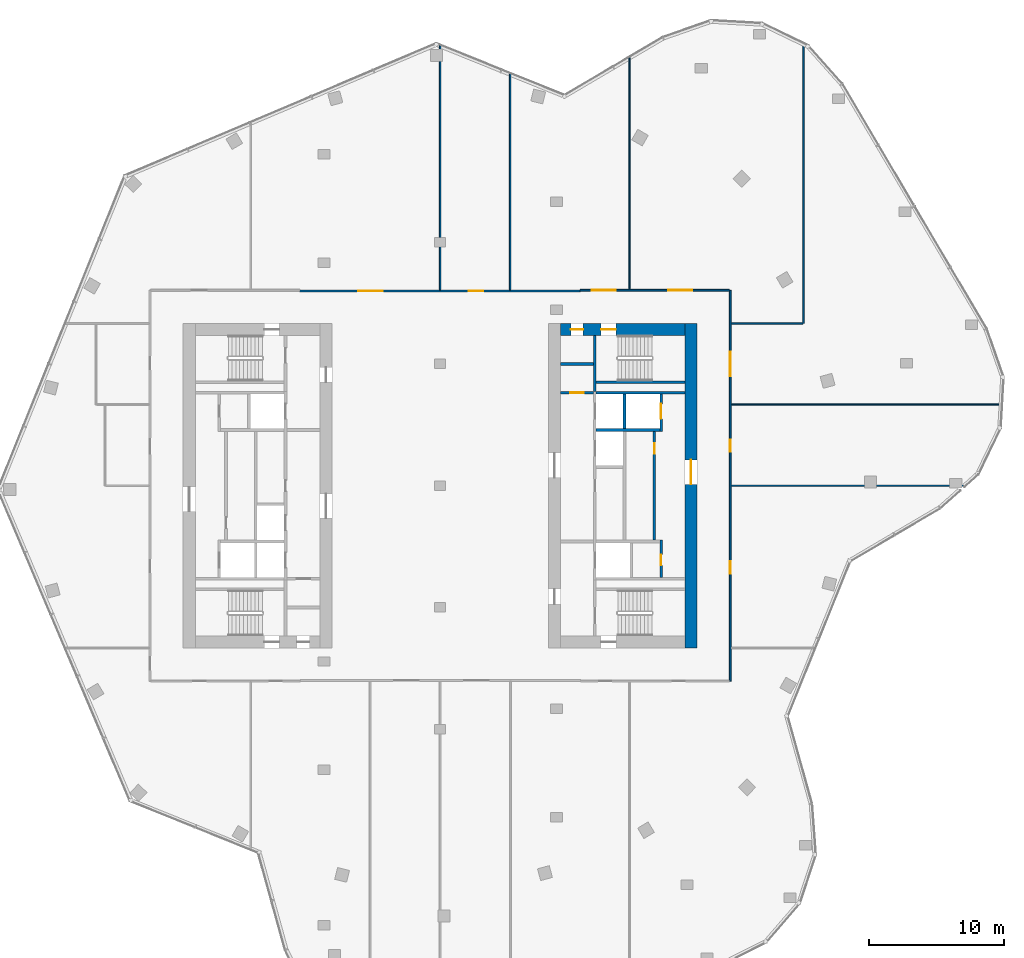
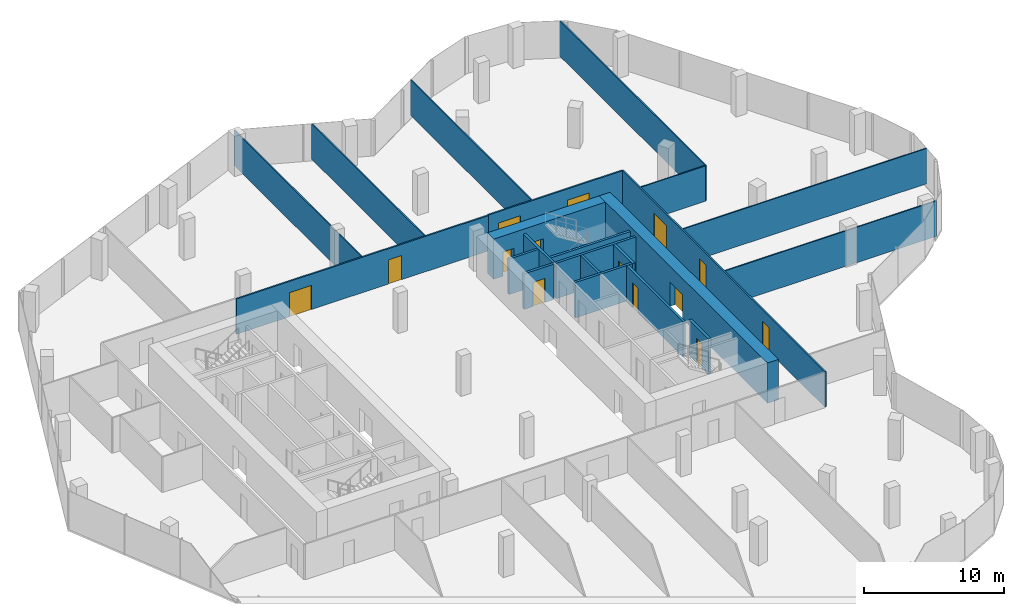
# One storey, part 14 of 16: 22 walls, 14 doors, 14 openings.
"""IFC4 building model written with IfcOpenShell, lengths in metres."""

from ifc_helpers import new_model, si_unit, direction, frame, frame_2d, origin, place, context, subcontext, project, spatial, rectangle, extrude, material, layer, layer_set, type_object, element, fill, save


model = new_model("IFC4")

# Units and contexts
model_context = context("Model", 3, precision=1e-05, world=origin(), true_north=direction((0.0, 1.0)))
body_context = subcontext(model_context, "Body", "Model", "MODEL_VIEW")
ifc_project = project(units=[si_unit("LENGTHUNIT", "METRE"), si_unit("AREAUNIT", "SQUARE_METRE"), si_unit("VOLUMEUNIT", "CUBIC_METRE"), si_unit("PLANEANGLEUNIT", "RADIAN"), si_unit("MASSUNIT", "GRAM", prefix="KILO")], contexts=[model_context])

# Site, building, storey
site_placement = place(None, origin())
site = spatial("IfcSite", under=ifc_project, at=site_placement, CompositionType="ELEMENT")
building_placement = place(site_placement, origin())
building = spatial("IfcBuilding", under=site, at=building_placement, Name="Orlundy Tower", CompositionType="ELEMENT")
storey_placement = place(building_placement, frame((0.0, 0.0, 282.39990234375)))
storey = spatial("IfcBuildingStorey", under=building, at=storey_placement, Name="L75", CompositionType="ELEMENT", Elevation=282.39990234375)

# Wall, openings, doors
ifc_material_1 = material(Name="Concrete C50/60", Category="concrete")
ifc_layer_1 = layer(ifc_material_1, 0.89990234375)
ifc_layer_set_1 = layer_set([ifc_layer_1], Name="CORE WALL 900 C50/60")
wall_type_1 = type_object("IfcWallType", Name="CORE WALL 900 C50/60", PredefinedType="SHEAR", material=ifc_layer_set_1)
wall_1_placement = place(storey_placement, frame((8.89990234375, 11.550048828125, 0.0), z_axis=(0.0, 0.0, 1.0), x_axis=(1.0, 0.0, 0.0)))
wall_1 = element("IfcWall", 1, at=wall_1_placement, inside=storey, type_object=wall_type_1, Name="Core wall E-N L75", PredefinedType="SHEAR", context=body_context, shape_type="SweptSolid", body=[
    extrude(rectangle(XDim=9.2001953125, YDim=0.89990234375, at=frame_2d((4.60009765625, 0.0))), origin(), (0.0, 0.0, 1.0), 3.5),
])
opening_1_placement = place(wall_1_placement, frame((3.0, 0.0, 0.0)))
opening_1 = element("IfcOpeningElement", 2, at=opening_1_placement, cuts=wall_1, Name="Opening 57061", PredefinedType="OPENING", context=body_context, shape_type="SweptSolid", body=[
    extrude(rectangle(XDim=1.10009765625, YDim=2.10009765625, at=frame_2d((0.550048828125, 1.050048828125))), frame((0.0, 0.4599609375, 0.0), z_axis=(0.0, -1.0, 0.0), x_axis=(1.0, 0.0, 0.0)), (0.0, 0.0, 1.0), 0.919921875),
])
opening_2_placement = place(wall_1_placement, frame((0.77001953125, 0.0, 0.0)))
opening_2 = element("IfcOpeningElement", 3, at=opening_2_placement, cuts=wall_1, Name="Opening 57063", PredefinedType="OPENING", context=body_context, shape_type="SweptSolid", body=[
    extrude(rectangle(XDim=0.89990234375, YDim=2.10009765625, at=frame_2d((0.449951171875, 1.050048828125))), frame((0.0, 0.4599609375, 0.0), z_axis=(0.0, -1.0, 0.0), x_axis=(1.0, 0.0, 0.0)), (0.0, 0.0, 1.0), 0.919921875),
])
ifc_material_2 = material(Name="Timber door set", Category="wood")
door_type_1 = type_object("IfcDoorType", Name="Room Door 900x2100", OperationType="SINGLE_SWING_LEFT", PredefinedType="DOOR", material=ifc_material_2)
door_1_placement = place(opening_2_placement, origin())
door_1 = element("IfcDoor", 4, at=door_1_placement, inside=storey, type_object=door_type_1, Name="Store door 57063", OperationType="SINGLE_SWING_LEFT", OverallHeight=2.10009765625, OverallWidth=0.89990234375, PredefinedType="DOOR", context=body_context, shape_type="SweptSolid", body=[
    extrude(rectangle(XDim=0.89990234375, YDim=2.10009765625, at=frame_2d((0.449951171875, 1.050048828125))), frame((0.0, 0.02490234375, 0.0), z_axis=(0.0, -1.0, 0.0), x_axis=(1.0, 0.0, 0.0)), (0.0, 0.0, 1.0), 0.050048828125),
])
fill(opening_2, door_1)
ifc_material_3 = material(Name="Steel door set", Category="steel")
door_type_2 = type_object("IfcDoorType", Name="Stair Door 1100x2100", OperationType="SINGLE_SWING_LEFT", PredefinedType="DOOR", material=ifc_material_3)
door_2_placement = place(opening_1_placement, origin())
door_2 = element("IfcDoor", 5, at=door_2_placement, inside=storey, type_object=door_type_2, Name="Stair door 57061", OperationType="SINGLE_SWING_LEFT", OverallHeight=2.10009765625, OverallWidth=1.10009765625, PredefinedType="DOOR", context=body_context, shape_type="SweptSolid", body=[
    extrude(rectangle(XDim=1.10009765625, YDim=2.10009765625, at=frame_2d((0.550048828125, 1.050048828125))), frame((0.0, 0.02490234375, 0.0), z_axis=(0.0, -1.0, 0.0), x_axis=(1.0, 0.0, 0.0)), (0.0, 0.0, 1.0), 0.050048828125),
])
fill(opening_1, door_2)

# Wall, opening, door
wall_2_placement = place(storey_placement, frame((18.550048828125, -12.0, 0.0), z_axis=(0.0, 0.0, 1.0), x_axis=(0.0, 1.0, 0.0)))
wall_2 = element("IfcWall", 6, at=wall_2_placement, inside=storey, type_object=wall_type_1, Name="Core wall E-E L75", PredefinedType="SHEAR", context=body_context, shape_type="SweptSolid", body=[
    extrude(rectangle(XDim=24.0, YDim=0.89990234375, at=frame_2d((12.0, 0.0))), origin(), (0.0, 0.0, 1.0), 3.5),
])
opening_3_placement = place(wall_2_placement, frame((12.10009765625, 0.0, 0.0)))
opening_3 = element("IfcOpeningElement", 7, at=opening_3_placement, cuts=wall_2, Name="Opening 57058", PredefinedType="OPENING", context=body_context, shape_type="SweptSolid", body=[
    extrude(rectangle(XDim=1.800048828125, YDim=2.10009765625, at=frame_2d((0.89990234375, 1.050048828125))), frame((0.0, 0.4599609375, 0.0), z_axis=(0.0, -1.0, 0.0), x_axis=(1.0, 0.0, 0.0)), (0.0, 0.0, 1.0), 0.919921875),
])
ifc_material_4 = material(Name="Timber door set", Category="wood")
door_type_3 = type_object("IfcDoorType", Name="Lobby Door 1800x2100", OperationType="DOUBLE_DOOR_DOUBLE_SWING", PredefinedType="DOOR", material=ifc_material_4)
door_3_placement = place(opening_3_placement, origin())
door_3 = element("IfcDoor", 8, at=door_3_placement, inside=storey, type_object=door_type_3, Name="Lift lobby door 57058", OperationType="SINGLE_SWING_RIGHT", OverallHeight=2.10009765625, OverallWidth=1.800048828125, PredefinedType="DOOR", context=body_context, shape_type="SweptSolid", body=[
    extrude(rectangle(XDim=1.800048828125, YDim=2.10009765625, at=frame_2d((0.89990234375, 1.050048828125))), frame((0.0, 0.02490234375, 0.0), z_axis=(0.0, -1.0, 0.0), x_axis=(1.0, 0.0, 0.0)), (0.0, 0.0, 1.0), 0.050048828125),
])
fill(opening_3, door_3)

# Walls
ifc_material_5 = material(Name="Gypsum board partition")
ifc_layer_2 = layer(ifc_material_5, 0.10009765625)
ifc_layer_set_2 = layer_set([ifc_layer_2], Name="Floor partition 100")
wall_type_2 = type_object("IfcWallType", Name="Floor partition 100", PredefinedType="PARTITIONING", material=ifc_layer_set_2)
wall_3_placement = place(storey_placement, frame((21.511962890625, 0.0, 0.0), z_axis=(0.0, 0.0, 1.0), x_axis=(1.0, 0.0, 0.0)))
element("IfcWall", 9, at=wall_3_placement, inside=storey, type_object=wall_type_2, Name="wall-int-L75-007", PredefinedType="PARTITIONING", context=body_context, shape_type="SweptSolid", body=[
    extrude(rectangle(XDim=17.404052734375, YDim=0.10009765625, at=frame_2d((8.7021484375, 0.0))), origin(), (0.0, 0.0, 1.0), 3.080078125),
])
wall_4_placement = place(storey_placement, frame((21.511962890625, 6.0, 0.0), z_axis=(0.0, 0.0, 1.0), x_axis=(1.0, 0.0, 0.0)))
element("IfcWall", 10, at=wall_4_placement, inside=storey, type_object=wall_type_2, Name="wall-int-L75-009", PredefinedType="PARTITIONING", context=body_context, shape_type="SweptSolid", body=[
    extrude(rectangle(XDim=20.071044921875, YDim=0.10009765625, at=frame_2d((10.03564453125, 0.0))), origin(), (0.0, 0.0, 1.0), 3.080078125),
])
wall_5_placement = place(storey_placement, frame((21.511962890625, 12.0, 0.0), z_axis=(0.0, 0.0, 1.0), x_axis=(1.0, 0.0, 0.0)))
element("IfcWall", 11, at=wall_5_placement, inside=storey, type_object=wall_type_2, Name="wall-int-L75-011", PredefinedType="PARTITIONING", context=body_context, shape_type="SweptSolid", body=[
    extrude(rectangle(XDim=5.319091796875, YDim=0.10009765625, at=frame_2d((2.65966796875, 0.0))), origin(), (0.0, 0.0, 1.0), 3.080078125),
])
wall_6_placement = place(storey_placement, frame((26.881103515625, 12.0, 0.0), z_axis=(0.0, 0.0, 1.0), x_axis=(0.0, 1.0, 0.0)))
element("IfcWall", 12, at=wall_6_placement, inside=storey, type_object=wall_type_2, Name="wall-int-L75-015", PredefinedType="PARTITIONING", context=body_context, shape_type="SweptSolid", body=[
    extrude(rectangle(XDim=20.7509765625, YDim=0.10009765625, at=frame_2d((10.37548828125, 0.0))), origin(), (0.0, 0.0, 1.0), 3.080078125),
])
wall_7_placement = place(storey_placement, frame((14.0, 14.513916015625, 0.0), z_axis=(0.0, 0.0, 1.0), x_axis=(0.0, 1.0, 0.0)))
element("IfcWall", 13, at=wall_7_placement, inside=storey, type_object=wall_type_2, Name="wall-int-L75-018", PredefinedType="PARTITIONING", context=body_context, shape_type="SweptSolid", body=[
    extrude(rectangle(XDim=17.235107421875, YDim=0.10009765625, at=frame_2d((8.61767578125, 0.0))), origin(), (0.0, 0.0, 1.0), 3.080078125),
])
wall_8_placement = place(storey_placement, frame((5.175048828125, 14.462890625, 0.0), z_axis=(0.0, 0.0, 1.0), x_axis=(0.0, 1.0, 0.0)))
element("IfcWall", 14, at=wall_8_placement, inside=storey, type_object=wall_type_2, Name="wall-int-L75-020", PredefinedType="PARTITIONING", context=body_context, shape_type="SweptSolid", body=[
    extrude(rectangle(XDim=16.072021484375, YDim=0.10009765625, at=frame_2d((8.0361328125, 0.0))), origin(), (0.0, 0.0, 1.0), 3.080078125),
])
wall_9_placement = place(storey_placement, frame((0.0, 14.462890625, 0.0), z_axis=(0.0, 0.0, 1.0), x_axis=(0.0, 1.0, 0.0)))
element("IfcWall", 15, at=wall_9_placement, inside=storey, type_object=wall_type_2, Name="wall-int-L75-022", PredefinedType="PARTITIONING", context=body_context, shape_type="SweptSolid", body=[
    extrude(rectangle(XDim=18.1640625, YDim=0.10009765625, at=frame_2d((9.08203125, 0.0))), origin(), (0.0, 0.0, 1.0), 3.080078125),
])

# Wall, openings, doors
ifc_material_6 = material(Name="Gypsum board partition, double layer")
ifc_layer_3 = layer(ifc_material_6, 0.125)
ifc_layer_set_3 = layer_set([ifc_layer_3], Name="Floor partition 125")
wall_type_3 = type_object("IfcWallType", Name="Floor partition 125", PredefinedType="PARTITIONING", material=ifc_layer_set_3)
wall_10_placement = place(storey_placement, frame((-10.389892578125, 14.40087890625, 0.0), z_axis=(0.0, 0.0, 1.0), x_axis=(1.0, 0.0, 0.0)))
wall_10 = element("IfcWall", 16, at=wall_10_placement, inside=storey, type_object=wall_type_3, Name="wall-int-L75-012", PredefinedType="PARTITIONING", context=body_context, shape_type="SweptSolid", body=[
    extrude(rectangle(XDim=20.739013671875, YDim=0.125, at=frame_2d((10.36962890625, 0.0))), origin(), (0.0, 0.0, 1.0), 3.080078125),
])
opening_4_placement = place(wall_10_placement, frame((12.489990234375, 0.0, 0.0)))
opening_4 = element("IfcOpeningElement", 17, at=opening_4_placement, cuts=wall_10, Name="Opening 57113", PredefinedType="OPENING", context=body_context, shape_type="SweptSolid", body=[
    extrude(rectangle(XDim=1.10009765625, YDim=2.10009765625, at=frame_2d((0.550048828125, 1.050048828125))), frame((0.0, 0.072509765625, 0.0), z_axis=(0.0, -1.0, 0.0), x_axis=(1.0, 0.0, 0.0)), (0.0, 0.0, 1.0), 0.14501953125),
])
opening_5_placement = place(wall_10_placement, frame((4.35009765625, 0.0, 0.0)))
opening_5 = element("IfcOpeningElement", 18, at=opening_5_placement, cuts=wall_10, Name="Opening 57114", PredefinedType="OPENING", context=body_context, shape_type="SweptSolid", body=[
    extrude(rectangle(XDim=1.800048828125, YDim=2.10009765625, at=frame_2d((0.89990234375, 1.050048828125))), frame((0.0, 0.072509765625, 0.0), z_axis=(0.0, -1.0, 0.0), x_axis=(1.0, 0.0, 0.0)), (0.0, 0.0, 1.0), 0.14501953125),
])
ifc_material_7 = material(Name="Timber door leaf", Category="wood")
door_type_4 = type_object("IfcDoorType", Name="Floor door double 1800 FD30S", OperationType="NOTDEFINED", PredefinedType="DOOR", material=ifc_material_7)
door_4_placement = place(opening_5_placement, origin())
door_4 = element("IfcDoor", 19, at=door_4_placement, inside=storey, type_object=door_type_4, Name="Door 57114", OperationType="DOUBLE_DOOR_SINGLE_SWING", OverallHeight=2.10009765625, OverallWidth=1.800048828125, PredefinedType="DOOR", context=body_context, shape_type="SweptSolid", body=[
    extrude(rectangle(XDim=1.800048828125, YDim=2.10009765625, at=frame_2d((0.89990234375, 1.050048828125))), frame((0.0, 0.02490234375, 0.0), z_axis=(0.0, -1.0, 0.0), x_axis=(1.0, 0.0, 0.0)), (0.0, 0.0, 1.0), 0.050048828125),
])
fill(opening_5, door_4)
ifc_material_8 = material(Name="Timber door leaf", Category="wood")
door_type_5 = type_object("IfcDoorType", Name="Floor door xwide 1100 FD30S", OperationType="NOTDEFINED", PredefinedType="DOOR", material=ifc_material_8)
door_5_placement = place(opening_4_placement, origin())
door_5 = element("IfcDoor", 20, at=door_5_placement, inside=storey, type_object=door_type_5, Name="Door 57113", OperationType="SINGLE_SWING_RIGHT", OverallHeight=2.10009765625, OverallWidth=1.10009765625, PredefinedType="DOOR", context=body_context, shape_type="SweptSolid", body=[
    extrude(rectangle(XDim=1.10009765625, YDim=2.10009765625, at=frame_2d((0.550048828125, 1.050048828125))), frame((0.0, 0.02490234375, 0.0), z_axis=(0.0, -1.0, 0.0), x_axis=(1.0, 0.0, 0.0)), (0.0, 0.0, 1.0), 0.050048828125),
])
fill(opening_4, door_5)

wall_11_placement = place(storey_placement, frame((10.35009765625, 14.450927734375, 0.0), z_axis=(0.0, 0.0, 1.0), x_axis=(1.0, 0.0, 0.0)))
wall_11 = element("IfcWall", 21, at=wall_11_placement, inside=storey, type_object=wall_type_3, Name="wall-int-L75-014", PredefinedType="PARTITIONING", context=body_context, shape_type="SweptSolid", body=[
    extrude(rectangle(XDim=11.036865234375, YDim=0.125, at=frame_2d((5.5185546875, 0.0))), origin(), (0.0, 0.0, 1.0), 3.080078125),
])
opening_6_placement = place(wall_11_placement, frame((6.5, 0.0, 0.0)))
opening_6 = element("IfcOpeningElement", 22, at=opening_6_placement, cuts=wall_11, Name="Opening 57111", PredefinedType="OPENING", context=body_context, shape_type="SweptSolid", body=[
    extrude(rectangle(XDim=1.800048828125, YDim=2.10009765625, at=frame_2d((0.89990234375, 1.050048828125))), frame((0.0, 0.072509765625, 0.0), z_axis=(0.0, -1.0, 0.0), x_axis=(1.0, 0.0, 0.0)), (0.0, 0.0, 1.0), 0.14501953125),
])
opening_7_placement = place(wall_11_placement, frame((0.85009765625, 0.0, 0.0)))
opening_7 = element("IfcOpeningElement", 23, at=opening_7_placement, cuts=wall_11, Name="Opening 57112", PredefinedType="OPENING", context=body_context, shape_type="SweptSolid", body=[
    extrude(rectangle(XDim=1.800048828125, YDim=2.10009765625, at=frame_2d((0.89990234375, 1.050048828125))), frame((0.0, 0.072509765625, 0.0), z_axis=(0.0, -1.0, 0.0), x_axis=(1.0, 0.0, 0.0)), (0.0, 0.0, 1.0), 0.14501953125),
])
door_6_placement = place(opening_6_placement, origin())
door_6 = element("IfcDoor", 24, at=door_6_placement, inside=storey, type_object=door_type_4, Name="Door 57111", OperationType="DOUBLE_DOOR_SINGLE_SWING", OverallHeight=2.10009765625, OverallWidth=1.800048828125, PredefinedType="DOOR", context=body_context, shape_type="SweptSolid", body=[
    extrude(rectangle(XDim=1.800048828125, YDim=2.10009765625, at=frame_2d((0.89990234375, 1.050048828125))), frame((0.0, 0.02490234375, 0.0), z_axis=(0.0, -1.0, 0.0), x_axis=(1.0, 0.0, 0.0)), (0.0, 0.0, 1.0), 0.050048828125),
])
fill(opening_6, door_6)
door_7_placement = place(opening_7_placement, origin())
door_7 = element("IfcDoor", 25, at=door_7_placement, inside=storey, type_object=door_type_4, Name="Door 57112", OperationType="DOUBLE_DOOR_SINGLE_SWING", OverallHeight=2.10009765625, OverallWidth=1.800048828125, PredefinedType="DOOR", context=body_context, shape_type="SweptSolid", body=[
    extrude(rectangle(XDim=1.800048828125, YDim=2.10009765625, at=frame_2d((0.89990234375, 1.050048828125))), frame((0.0, 0.02490234375, 0.0), z_axis=(0.0, -1.0, 0.0), x_axis=(1.0, 0.0, 0.0)), (0.0, 0.0, 1.0), 0.050048828125),
])
fill(opening_7, door_7)

wall_12_placement = place(storey_placement, frame((21.449951171875, 14.450927734375, 0.0), z_axis=(0.0, 0.0, 1.0), x_axis=(0.0, -1.0, 0.0)))
wall_12 = element("IfcWall", 26, at=wall_12_placement, inside=storey, type_object=wall_type_3, Name="wall-int-L75-016", PredefinedType="PARTITIONING", context=body_context, shape_type="SweptSolid", body=[
    extrude(rectangle(XDim=28.90185546875, YDim=0.125, at=frame_2d((14.450927734375, 0.0))), origin(), (0.0, 0.0, 1.0), 3.080078125),
])
opening_8_placement = place(wall_12_placement, frame((20.051025390625, 0.0, 0.0)))
opening_8 = element("IfcOpeningElement", 27, at=opening_8_placement, cuts=wall_12, Name="Opening 57108", PredefinedType="OPENING", context=body_context, shape_type="SweptSolid", body=[
    extrude(rectangle(XDim=0.89990234375, YDim=2.10009765625, at=frame_2d((0.449951171875, 1.050048828125))), frame((0.0, 0.072509765625, 0.0), z_axis=(0.0, -1.0, 0.0), x_axis=(1.0, 0.0, 0.0)), (0.0, 0.0, 1.0), 0.14501953125),
])
opening_9_placement = place(wall_12_placement, frame((11.051025390625, 0.0, 0.0)))
opening_9 = element("IfcOpeningElement", 28, at=opening_9_placement, cuts=wall_12, Name="Opening 57109", PredefinedType="OPENING", context=body_context, shape_type="SweptSolid", body=[
    extrude(rectangle(XDim=0.89990234375, YDim=2.10009765625, at=frame_2d((0.449951171875, 1.050048828125))), frame((0.0, 0.072509765625, 0.0), z_axis=(0.0, -1.0, 0.0), x_axis=(1.0, 0.0, 0.0)), (0.0, 0.0, 1.0), 0.14501953125),
])
opening_10_placement = place(wall_12_placement, frame((4.551025390625, 0.0, 0.0)))
opening_10 = element("IfcOpeningElement", 29, at=opening_10_placement, cuts=wall_12, Name="Opening 57110", PredefinedType="OPENING", context=body_context, shape_type="SweptSolid", body=[
    extrude(rectangle(XDim=1.800048828125, YDim=2.10009765625, at=frame_2d((0.89990234375, 1.050048828125))), frame((0.0, 0.072509765625, 0.0), z_axis=(0.0, -1.0, 0.0), x_axis=(1.0, 0.0, 0.0)), (0.0, 0.0, 1.0), 0.14501953125),
])
door_8_placement = place(opening_10_placement, origin())
door_8 = element("IfcDoor", 30, at=door_8_placement, inside=storey, type_object=door_type_4, Name="Door 57110", OperationType="DOUBLE_DOOR_SINGLE_SWING", OverallHeight=2.10009765625, OverallWidth=1.800048828125, PredefinedType="DOOR", context=body_context, shape_type="SweptSolid", body=[
    extrude(rectangle(XDim=1.800048828125, YDim=2.10009765625, at=frame_2d((0.89990234375, 1.050048828125))), frame((0.0, 0.02490234375, 0.0), z_axis=(0.0, -1.0, 0.0), x_axis=(1.0, 0.0, 0.0)), (0.0, 0.0, 1.0), 0.050048828125),
])
fill(opening_10, door_8)
ifc_material_9 = material(Name="Timber door leaf", Category="wood")
door_type_6 = type_object("IfcDoorType", Name="Floor door single 900 FD30S", OperationType="NOTDEFINED", PredefinedType="DOOR", material=ifc_material_9)
door_9_placement = place(opening_8_placement, origin())
door_9 = element("IfcDoor", 31, at=door_9_placement, inside=storey, type_object=door_type_6, Name="Door 57108", OperationType="SINGLE_SWING_RIGHT", OverallHeight=2.10009765625, OverallWidth=0.89990234375, PredefinedType="DOOR", context=body_context, shape_type="SweptSolid", body=[
    extrude(rectangle(XDim=0.89990234375, YDim=2.10009765625, at=frame_2d((0.449951171875, 1.050048828125))), frame((0.0, 0.02490234375, 0.0), z_axis=(0.0, -1.0, 0.0), x_axis=(1.0, 0.0, 0.0)), (0.0, 0.0, 1.0), 0.050048828125),
])
fill(opening_8, door_9)
door_10_placement = place(opening_9_placement, origin())
door_10 = element("IfcDoor", 32, at=door_10_placement, inside=storey, type_object=door_type_6, Name="Door 57109", OperationType="SINGLE_SWING_LEFT", OverallHeight=2.10009765625, OverallWidth=0.89990234375, PredefinedType="DOOR", context=body_context, shape_type="SweptSolid", body=[
    extrude(rectangle(XDim=0.89990234375, YDim=2.10009765625, at=frame_2d((0.449951171875, 1.050048828125))), frame((0.0, 0.02490234375, 0.0), z_axis=(0.0, -1.0, 0.0), x_axis=(1.0, 0.0, 0.0)), (0.0, 0.0, 1.0), 0.050048828125),
])
fill(opening_9, door_10)

# Walls
ifc_material_10 = material(Name="Concrete C40/50", Category="concrete")
ifc_layer_4 = layer(ifc_material_10, 0.199951171875)
ifc_layer_set_4 = layer_set([ifc_layer_4], Name="Load-bearing Shaft Wall 200")
wall_type_4 = type_object("IfcWallType", Name="Load-bearing Shaft Wall 200", PredefinedType="SOLIDWALL", material=ifc_layer_set_4)
wall_13_placement = place(storey_placement, frame((11.43994140625, 11.10009765625, 0.0), z_axis=(0.0, 0.0, 1.0), x_axis=(0.0, -1.0, 0.0)))
element("IfcWall", 33, at=wall_13_placement, inside=storey, type_object=wall_type_4, Name="Shaft wall E57-stair-end-s", PredefinedType="SOLIDWALL", context=body_context, shape_type="SweptSolid", body=[
    extrude(rectangle(XDim=4.125, YDim=0.199951171875, at=frame_2d((2.0625, 0.0))), origin(), (0.0, 0.0, 1.0), 3.090087890625),
])
wall_14_placement = place(storey_placement, frame((11.5400390625, 7.64990234375, 0.0), z_axis=(0.0, 0.0, 1.0), x_axis=(1.0, 0.0, 0.0)))
element("IfcWall", 34, at=wall_14_placement, inside=storey, type_object=wall_type_4, Name="Shaft wall E57-stair-side-s", PredefinedType="SOLIDWALL", context=body_context, shape_type="SweptSolid", body=[
    extrude(rectangle(XDim=6.56005859375, YDim=0.199951171875, at=frame_2d((3.280029296875, 0.0))), origin(), (0.0, 0.0, 1.0), 3.090087890625),
])

# Wall, opening, door
ifc_material_11 = material(Name="Gypsum board partition on steel studs", Category="steel")
ifc_layer_5 = layer(ifc_material_11, 0.199951171875)
ifc_layer_set_5 = layer_set([ifc_layer_5], Name="Partition 200")
wall_type_5 = type_object("IfcWallType", Name="Partition 200", PredefinedType="PARTITIONING", material=ifc_layer_set_5)
wall_15_placement = place(storey_placement, frame((8.89990234375, 6.875, 0.0), z_axis=(0.0, 0.0, 1.0), x_axis=(1.0, 0.0, 0.0)))
wall_15 = element("IfcWall", 35, at=wall_15_placement, inside=storey, type_object=wall_type_5, Name="Partition wall E57-end-s", PredefinedType="PARTITIONING", context=body_context, shape_type="SweptSolid", body=[
    extrude(rectangle(XDim=2.440185546875, YDim=0.199951171875, at=frame_2d((1.22021484375, 0.0))), origin(), (0.0, 0.0, 1.0), 3.090087890625),
])
opening_11_placement = place(wall_15_placement, frame((0.719970703125, 0.0, 0.0)))
opening_11 = element("IfcOpeningElement", 36, at=opening_11_placement, cuts=wall_15, Name="Opening 57064", PredefinedType="OPENING", context=body_context, shape_type="SweptSolid", body=[
    extrude(rectangle(XDim=1.0, YDim=2.10009765625, at=frame_2d((0.5, 1.050048828125))), frame((0.0, 0.110107421875, 0.0), z_axis=(0.0, -1.0, 0.0), x_axis=(1.0, 0.0, 0.0)), (0.0, 0.0, 1.0), 0.22021484375),
])
ifc_material_12 = material(Name="Timber door set", Category="wood")
door_type_7 = type_object("IfcDoorType", Name="Accessible Door 1000x2100", OperationType="SINGLE_SWING_LEFT", PredefinedType="DOOR", material=ifc_material_12)
door_11_placement = place(opening_11_placement, origin())
door_11 = element("IfcDoor", 37, at=door_11_placement, inside=storey, type_object=door_type_7, Name="Accessible WC door 57064", OperationType="SINGLE_SWING_RIGHT", OverallHeight=2.10009765625, OverallWidth=1.0, PredefinedType="DOOR", context=body_context, shape_type="SweptSolid", body=[
    extrude(rectangle(XDim=1.0, YDim=2.10009765625, at=frame_2d((0.5, 1.050048828125))), frame((0.0, 0.02490234375, 0.0), z_axis=(0.0, -1.0, 0.0), x_axis=(1.0, 0.0, 0.0)), (0.0, 0.0, 1.0), 0.050048828125),
])
fill(opening_11, door_11)

# Walls
wall_16_placement = place(storey_placement, frame((8.89990234375, 9.0, 0.0), z_axis=(0.0, 0.0, 1.0), x_axis=(1.0, 0.0, 0.0)))
element("IfcWall", 38, at=wall_16_placement, inside=storey, type_object=wall_type_5, Name="Partition wall E57-room-s0", PredefinedType="PARTITIONING", context=body_context, shape_type="SweptSolid", body=[
    extrude(rectangle(XDim=2.440185546875, YDim=0.199951171875, at=frame_2d((1.22021484375, 0.0))), origin(), (0.0, 0.0, 1.0), 3.090087890625),
])
ifc_material_13 = material(Name="Fire-rated blockwork shaft wall", Category="masonry")
ifc_layer_6 = layer(ifc_material_13, 0.199951171875)
ifc_layer_set_6 = layer_set([ifc_layer_6], Name="Shaft Wall 200")
wall_type_6 = type_object("IfcWallType", Name="Shaft Wall 200", PredefinedType="SOLIDWALL", material=ifc_layer_set_6)
wall_17_placement = place(storey_placement, frame((11.5400390625, 6.875, 0.0), z_axis=(0.0, 0.0, 1.0), x_axis=(1.0, 0.0, 0.0)))
element("IfcWall", 39, at=wall_17_placement, inside=storey, type_object=wall_type_6, Name="Shaft wall E57-zone-s", PredefinedType="SOLIDWALL", context=body_context, shape_type="SweptSolid", body=[
    extrude(rectangle(XDim=6.56005859375, YDim=0.199951171875, at=frame_2d((3.280029296875, 0.0))), origin(), (0.0, 0.0, 1.0), 3.090087890625),
])
wall_18_placement = place(storey_placement, frame((11.5400390625, 4.125, 0.0), z_axis=(0.0, 0.0, 1.0), x_axis=(1.0, 0.0, 0.0)))
element("IfcWall", 40, at=wall_18_placement, inside=storey, type_object=wall_type_6, Name="Shaft wall E57-cross-4.125", PredefinedType="SOLIDWALL", context=body_context, shape_type="SweptSolid", body=[
    extrude(rectangle(XDim=4.699951171875, YDim=0.199951171875, at=frame_2d((2.35009765625, 0.0))), origin(), (0.0, 0.0, 1.0), 3.090087890625),
])
wall_19_placement = place(storey_placement, frame((13.639892578125, 6.77490234375, 0.0), z_axis=(0.0, 0.0, 1.0), x_axis=(0.0, -1.0, 0.0)))
element("IfcWall", 41, at=wall_19_placement, inside=storey, type_object=wall_type_6, Name="Shaft wall E57-mid-a", PredefinedType="SOLIDWALL", context=body_context, shape_type="SweptSolid", body=[
    extrude(rectangle(XDim=2.5498046875, YDim=0.199951171875, at=frame_2d((1.27490234375, 0.0))), origin(), (0.0, 0.0, 1.0), 3.090087890625),
])

# Wall, opening, door
wall_20_placement = place(storey_placement, frame((16.340087890625, 6.77490234375, 0.0), z_axis=(0.0, 0.0, 1.0), x_axis=(0.0, -1.0, 0.0)))
wall_20 = element("IfcWall", 42, at=wall_20_placement, inside=storey, type_object=wall_type_6, Name="Shaft wall E57-front-o-a", PredefinedType="SOLIDWALL", context=body_context, shape_type="SweptSolid", body=[
    extrude(rectangle(XDim=2.75, YDim=0.199951171875, at=frame_2d((1.375, 0.0))), origin(), (0.0, 0.0, 1.0), 3.090087890625),
])
opening_12_placement = place(wall_20_placement, frame((0.72509765625, 0.0, 0.0)))
opening_12 = element("IfcOpeningElement", 43, at=opening_12_placement, cuts=wall_20, Name="Opening 57051", PredefinedType="OPENING", context=body_context, shape_type="SweptSolid", body=[
    extrude(rectangle(XDim=1.10009765625, YDim=2.10009765625, at=frame_2d((0.550048828125, 1.050048828125))), frame((0.0, 0.110107421875, 0.0), z_axis=(0.0, -1.0, 0.0), x_axis=(1.0, 0.0, 0.0)), (0.0, 0.0, 1.0), 0.22021484375),
])
ifc_material_14 = material(Name="Steel door set", Category="steel")
door_type_8 = type_object("IfcDoorType", Name="Landing Door 1100x2100", OperationType="DOUBLE_DOOR_SLIDING", PredefinedType="DOOR", material=ifc_material_14)
door_12_placement = place(opening_12_placement, origin())
door_12 = element("IfcDoor", 44, at=door_12_placement, inside=storey, type_object=door_type_8, Name="Lift landing door LV-02 57051", OperationType="DOUBLE_DOOR_SLIDING", OverallHeight=2.10009765625, OverallWidth=1.10009765625, PredefinedType="DOOR", context=body_context, shape_type="SweptSolid", body=[
    extrude(rectangle(XDim=1.10009765625, YDim=2.10009765625, at=frame_2d((0.550048828125, 1.050048828125))), frame((0.0, 0.02490234375, 0.0), z_axis=(0.0, -1.0, 0.0), x_axis=(1.0, 0.0, 0.0)), (0.0, 0.0, 1.0), 0.050048828125),
])
fill(opening_12, door_12)

wall_21_placement = place(storey_placement, frame((15.840087890625, 4.02490234375, 0.0), z_axis=(0.0, 0.0, 1.0), x_axis=(0.0, -1.0, 0.0)))
wall_21 = element("IfcWall", 45, at=wall_21_placement, inside=storey, type_object=wall_type_6, Name="Shaft wall E57-front-o-b", PredefinedType="SOLIDWALL", context=body_context, shape_type="SweptSolid", body=[
    extrude(rectangle(XDim=8.0498046875, YDim=0.199951171875, at=frame_2d((4.02490234375, 0.0))), origin(), (0.0, 0.0, 1.0), 3.090087890625),
])
opening_13_placement = place(wall_21_placement, frame((0.875, 0.0, 0.0)))
opening_13 = element("IfcOpeningElement", 46, at=opening_13_placement, cuts=wall_21, Name="Opening 57054", PredefinedType="OPENING", context=body_context, shape_type="SweptSolid", body=[
    extrude(rectangle(XDim=0.800048828125, YDim=2.10009765625, at=frame_2d((0.39990234375, 1.050048828125))), frame((0.0, 0.110107421875, 0.0), z_axis=(0.0, -1.0, 0.0), x_axis=(1.0, 0.0, 0.0)), (0.0, 0.0, 1.0), 0.22021484375),
])
ifc_material_15 = material(Name="Timber door set", Category="wood")
door_type_9 = type_object("IfcDoorType", Name="Riser Door 800x2100", OperationType="SINGLE_SWING_LEFT", PredefinedType="DOOR", material=ifc_material_15)
door_13_placement = place(opening_13_placement, origin())
door_13 = element("IfcDoor", 47, at=door_13_placement, inside=storey, type_object=door_type_9, Name="HVAC Riser door 57054", OperationType="SINGLE_SWING_LEFT", OverallHeight=2.10009765625, OverallWidth=0.800048828125, PredefinedType="DOOR", context=body_context, shape_type="SweptSolid", body=[
    extrude(rectangle(XDim=0.800048828125, YDim=2.10009765625, at=frame_2d((0.39990234375, 1.050048828125))), frame((0.0, 0.02490234375, 0.0), z_axis=(0.0, -1.0, 0.0), x_axis=(1.0, 0.0, 0.0)), (0.0, 0.0, 1.0), 0.050048828125),
])
fill(opening_13, door_13)

wall_22_placement = place(storey_placement, frame((16.340087890625, -4.02490234375, 0.0), z_axis=(0.0, 0.0, 1.0), x_axis=(0.0, -1.0, 0.0)))
wall_22 = element("IfcWall", 48, at=wall_22_placement, inside=storey, type_object=wall_type_6, Name="Shaft wall E57-front-o-c", PredefinedType="SOLIDWALL", context=body_context, shape_type="SweptSolid", body=[
    extrude(rectangle(XDim=2.75, YDim=0.199951171875, at=frame_2d((1.375, 0.0))), origin(), (0.0, 0.0, 1.0), 3.090087890625),
])
opening_14_placement = place(wall_22_placement, frame((1.074951171875, 0.0, 0.0)))
opening_14 = element("IfcOpeningElement", 49, at=opening_14_placement, cuts=wall_22, Name="Opening 57056", PredefinedType="OPENING", context=body_context, shape_type="SweptSolid", body=[
    extrude(rectangle(XDim=0.800048828125, YDim=2.10009765625, at=frame_2d((0.39990234375, 1.050048828125))), frame((0.0, 0.110107421875, 0.0), z_axis=(0.0, -1.0, 0.0), x_axis=(1.0, 0.0, 0.0)), (0.0, 0.0, 1.0), 0.22021484375),
])
door_14_placement = place(opening_14_placement, origin())
door_14 = element("IfcDoor", 50, at=door_14_placement, inside=storey, type_object=door_type_9, Name="Cable Riser Room door 57056", OperationType="SINGLE_SWING_LEFT", OverallHeight=2.10009765625, OverallWidth=0.800048828125, PredefinedType="DOOR", context=body_context, shape_type="SweptSolid", body=[
    extrude(rectangle(XDim=0.800048828125, YDim=2.10009765625, at=frame_2d((0.39990234375, 1.050048828125))), frame((0.0, 0.02490234375, 0.0), z_axis=(0.0, -1.0, 0.0), x_axis=(1.0, 0.0, 0.0)), (0.0, 0.0, 1.0), 0.050048828125),
])
fill(opening_14, door_14)

save(model, "model.ifc")
